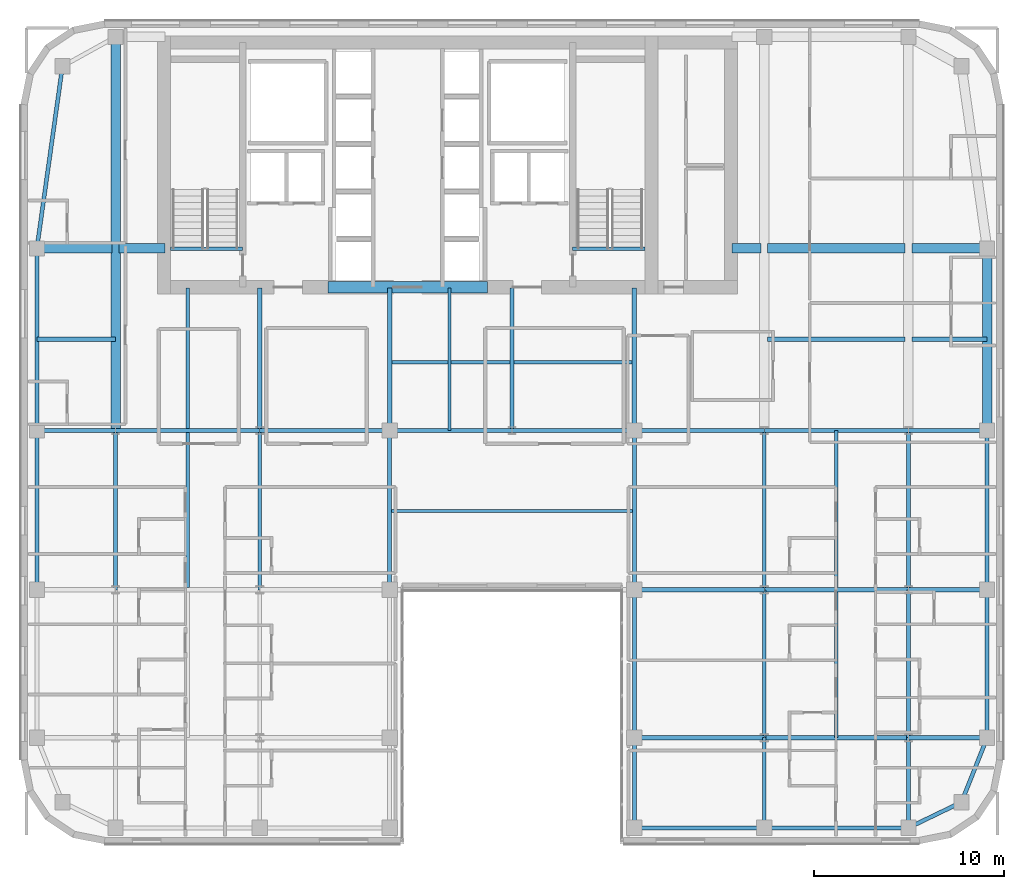
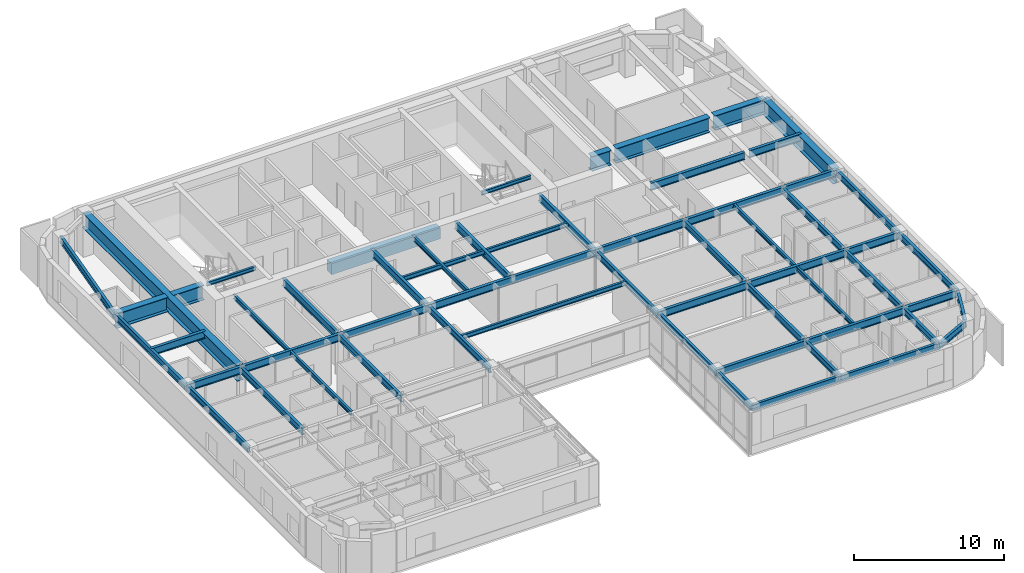
# One storey, part 7 of 21: 59 beams.
"""IFC4 building model written with IfcOpenShell, lengths in metres."""

from ifc_helpers import new_model, si_unit, direction, frame, origin, origin_2d, place, context, subcontext, project, spatial, rectangle, i_section, extrude, source, transform, mapped, material, material_profile, profile_set, type_object, type_shapes, element, save


model = new_model("IFC4")

# Units and contexts
model_context = context("Model", 3, precision=1e-05, world=origin(), true_north=direction((0.0, 1.0)))
body_context = subcontext(model_context, "Body", "Model", "MODEL_VIEW")
ifc_project = project(units=[si_unit("LENGTHUNIT", "METRE"), si_unit("AREAUNIT", "SQUARE_METRE"), si_unit("VOLUMEUNIT", "CUBIC_METRE"), si_unit("PLANEANGLEUNIT", "RADIAN"), si_unit("MASSUNIT", "GRAM", prefix="KILO")], contexts=[model_context])

# Site, building, storey
site_placement = place(None, origin())
site = spatial("IfcSite", under=ifc_project, at=site_placement, CompositionType="ELEMENT")
building_placement = place(site_placement, origin())
building = spatial("IfcBuilding", under=site, at=building_placement, Name="Tolvann Quenvar Hotel", CompositionType="ELEMENT")
storey_placement = place(building_placement, frame((0.0, 0.0, 161.25)))
storey = spatial("IfcBuildingStorey", under=building, at=storey_placement, Name="L42", CompositionType="ELEMENT", Elevation=161.25)

# Beams
ifc_material_1 = material(Name="Concrete N50 (50 MPa)", Category="concrete")
ifc_material_profile_1 = material_profile(ifc_material_1, rectangle(XDim=0.60009765625, YDim=0.89990234375, at=origin_2d()), Name="RC600x900")
ifc_profile_set_1 = profile_set([ifc_material_profile_1], Name="Concrete N50 (50 MPa)")
beam_type_1 = type_object("IfcBeamType", Name="BM_LINT_RC600x900", PredefinedType="LINTEL", material=ifc_profile_set_1)
shared_shape_1 = source(origin(), body_context, "Body", "SweptSolid", [
    extrude(rectangle(XDim=0.60009765625, YDim=0.89990234375, at=origin_2d()), origin(), (0.0, 0.0, 1.0), 8.39990234375),
])
type_shapes(beam_type_1, [shared_shape_1])
beam_1_placement = place(storey_placement, frame((18.800048828125, 31.949951171875, 2.919921875), z_axis=(1.0, 0.0, 0.0), x_axis=(0.0, 1.0, 0.0)))
element("IfcBeam", 1, at=beam_1_placement, inside=storey, type_object=beam_type_1, Name="Core Coupling Lintel Beam (L42)", PredefinedType="LINTEL", context=body_context, shape_type="MappedRepresentation", body=[
    mapped(shared_shape_1, transform((0.0, 0.0, 0.0), x_axis=(1.0, 0.0, 0.0), y_axis=(0.0, 1.0, 0.0), z_axis=(0.0, 0.0, 1.0), scale=1.0)),
])
ifc_material_2 = material(Name="Steel Grade 350", Category="steel")
ifc_material_profile_2 = material_profile(ifc_material_2, i_section(OverallWidth=0.5, OverallDepth=1.199951171875, WebThickness=0.01611328125, FlangeThickness=0.0400390625, at=origin_2d()), Name="1200WB455")
ifc_profile_set_2 = profile_set([ifc_material_profile_2], Name="Steel Grade 350")
beam_type_2 = type_object("IfcBeamType", Name="BM_TG_1200WB455", PredefinedType="USERDEFINED", material=ifc_profile_set_2)
shared_shape_2 = source(origin(), body_context, "Body", "SweptSolid", [
    extrude(i_section(OverallWidth=0.5, OverallDepth=1.199951171875, WebThickness=0.01611328125, FlangeThickness=0.0400390625, at=origin_2d()), origin(), (0.0, 0.0, 1.0), 9.60009765625),
])
beam_2_placement = place(storey_placement, frame((53.550048828125, 24.39990234375, 2.77001953125), z_axis=(0.0, 1.0, 0.0), x_axis=(-1.0, 0.0, 0.0)))
element("IfcBeam", 2, at=beam_2_placement, inside=storey, type_object=beam_type_2, Name="BM-L42-FLK-E1", ObjectType="TRANSFER GIRDER", PredefinedType="USERDEFINED", context=body_context, shape_type="MappedRepresentation", body=[
    mapped(shared_shape_2, transform((0.0, 0.0, 0.0), x_axis=(1.0, 0.0, 0.0), y_axis=(0.0, 1.0, 0.0), z_axis=(0.0, 0.0, 1.0), scale=1.0)),
])
ifc_material_profile_3 = material_profile(ifc_material_2, i_section(OverallWidth=0.208984375, OverallDepth=0.528076171875, WebThickness=0.009521484375, FlangeThickness=0.01318359375, FilletRadius=0.013916015625, at=origin_2d()), Name="530UB82")
ifc_profile_set_3 = profile_set([ifc_material_profile_3], Name="Steel Grade 350")
beam_type_3 = type_object("IfcBeamType", Name="BM_SPAND_530UB82", PredefinedType="SPANDREL", material=ifc_profile_set_3)
shared_shape_3 = source(origin(), body_context, "Body", "SweptSolid", [
    extrude(i_section(OverallWidth=0.208984375, OverallDepth=0.528076171875, WebThickness=0.009521484375, FlangeThickness=0.01318359375, FilletRadius=0.013916015625, at=origin_2d()), origin(), (0.0, 0.0, 1.0), 7.599853515625),
])
beam_3_placement = place(storey_placement, frame((41.800048828125, 3.449951171875, 3.10595703125), z_axis=(1.0, 0.0, 0.0), x_axis=(0.0, 1.0, 0.0)))
element("IfcBeam", 3, at=beam_3_placement, inside=storey, type_object=beam_type_3, Name="BM-L42-EW-2-H2-I2", PredefinedType="SPANDREL", context=body_context, shape_type="MappedRepresentation", body=[
    mapped(shared_shape_3, transform((0.0, 0.0, 0.0), x_axis=(1.0, 0.0, 0.0), y_axis=(0.0, 1.0, 0.0), z_axis=(0.0, 0.0, 1.0), scale=1.0)),
])
shared_shape_4 = source(origin(), body_context, "Body", "SweptSolid", [
    extrude(i_section(OverallWidth=0.208984375, OverallDepth=0.528076171875, WebThickness=0.009521484375, FlangeThickness=0.01318359375, FilletRadius=0.013916015625, at=origin_2d()), origin(), (0.0, 0.0, 1.0), 6.85009765625),
])
beam_4_placement = place(storey_placement, frame((34.949951171875, 3.449951171875, 3.10595703125), z_axis=(1.0, 0.0, 0.0), x_axis=(0.0, 1.0, 0.0)))
element("IfcBeam", 4, at=beam_4_placement, inside=storey, type_object=beam_type_3, Name="BM-L42-EW-2-F2-H2", PredefinedType="SPANDREL", context=body_context, shape_type="MappedRepresentation", body=[
    mapped(shared_shape_4, transform((0.0, 0.0, 0.0), x_axis=(1.0, 0.0, 0.0), y_axis=(0.0, 1.0, 0.0), z_axis=(0.0, 0.0, 1.0), scale=1.0)),
])
shared_shape_5 = source(origin(), body_context, "Body", "SweptSolid", [
    extrude(i_section(OverallWidth=0.208984375, OverallDepth=0.528076171875, WebThickness=0.009521484375, FlangeThickness=0.01318359375, FilletRadius=0.013916015625, at=origin_2d()), origin(), (0.0, 0.0, 1.0), 7.800048828125),
])
beam_5_placement = place(storey_placement, frame((53.550048828125, 8.199951171875, 3.10595703125), z_axis=(0.0, 1.0, 0.0), x_axis=(-1.0, 0.0, 0.0)))
element("IfcBeam", 5, at=beam_5_placement, inside=storey, type_object=beam_type_3, Name="BM-L42-NS-J3-J4", PredefinedType="SPANDREL", context=body_context, shape_type="MappedRepresentation", body=[
    mapped(shared_shape_5, transform((0.0, 0.0, 0.0), x_axis=(1.0, 0.0, 0.0), y_axis=(0.0, 1.0, 0.0), z_axis=(0.0, 0.0, 1.0), scale=1.0)),
])
shared_shape_6 = source(origin(), body_context, "Body", "SweptSolid", [
    extrude(i_section(OverallWidth=0.208984375, OverallDepth=0.528076171875, WebThickness=0.009521484375, FlangeThickness=0.01318359375, FilletRadius=0.013916015625, at=origin_2d()), origin(), (0.0, 0.0, 1.0), 8.39990234375),
])
for number, where, z_axis, x_axis, name in (
    (6, (3.449951171875, 16.0, 3.10595703125), (0.0, 1.0, 0.0), (-1.0, 0.0, 0.0), "BM-L42-NS-B4-B5"),
    (7, (53.550048828125, 16.0, 3.10595703125), (0.0, 1.0, 0.0), (-1.0, 0.0, 0.0), "BM-L42-NS-J4-J5"),
):
    element("IfcBeam", number, at=place(storey_placement, frame(where, z_axis=z_axis, x_axis=x_axis)), inside=storey, type_object=beam_type_3, Name=name, PredefinedType="SPANDREL", context=body_context, shape_type="MappedRepresentation", body=[
        mapped(shared_shape_6, transform((0.0, 0.0, 0.0), x_axis=(1.0, 0.0, 0.0), y_axis=(0.0, 1.0, 0.0), z_axis=(0.0, 0.0, 1.0), scale=1.0)),
    ])
ifc_material_profile_4 = material_profile(ifc_material_2, i_section(OverallWidth=0.208984375, OverallDepth=0.532958984375, WebThickness=0.01025390625, FlangeThickness=0.015625, FilletRadius=0.013916015625, at=origin_2d()), Name="530UB92")
ifc_profile_set_4 = profile_set([ifc_material_profile_4], Name="Steel Grade 350")
beam_type_4 = type_object("IfcBeamType", Name="BM_GIRD_530UB92", PredefinedType="BEAM", material=ifc_profile_set_4)
shared_shape_7 = source(origin(), body_context, "Body", "SweptSolid", [
    extrude(i_section(OverallWidth=0.208984375, OverallDepth=0.532958984375, WebThickness=0.01025390625, FlangeThickness=0.015625, FilletRadius=0.013916015625, at=origin_2d()), origin(), (0.0, 0.0, 1.0), 7.800048828125),
])
for number, where, z_axis, x_axis, name in (
    (8, (34.949951171875, 8.199951171875, 3.103515625), (0.0, 1.0, 0.0), (-1.0, 0.0, 0.0), "BM-L42-NS-F3-F4"),
    (9, (41.800048828125, 8.199951171875, 3.103515625), (0.0, 1.0, 0.0), (-1.0, 0.0, 0.0), "BM-L42-NS-H3-H4"),
    (10, (49.39990234375, 8.199951171875, 3.103515625), (0.0, 1.0, 0.0), (-1.0, 0.0, 0.0), "BM-L42-NS-I3-I4"),
):
    element("IfcBeam", number, at=place(storey_placement, frame(where, z_axis=z_axis, x_axis=x_axis)), inside=storey, type_object=beam_type_4, Name=name, PredefinedType="BEAM", context=body_context, shape_type="MappedRepresentation", body=[
        mapped(shared_shape_7, transform((0.0, 0.0, 0.0), x_axis=(1.0, 0.0, 0.0), y_axis=(0.0, 1.0, 0.0), z_axis=(0.0, 0.0, 1.0), scale=1.0)),
    ])
shared_shape_8 = source(origin(), body_context, "Body", "SweptSolid", [
    extrude(i_section(OverallWidth=0.208984375, OverallDepth=0.532958984375, WebThickness=0.01025390625, FlangeThickness=0.015625, FilletRadius=0.013916015625, at=origin_2d()), origin(), (0.0, 0.0, 1.0), 8.39990234375),
])
for number, where, z_axis, x_axis, name in (
    (11, (7.60009765625, 16.0, 3.103515625), (0.0, 1.0, 0.0), (-1.0, 0.0, 0.0), "BM-L42-NS-C4-C5"),
    (12, (15.199951171875, 16.0, 3.103515625), (0.0, 1.0, 0.0), (-1.0, 0.0, 0.0), "BM-L42-NS-D4-D5"),
    (13, (22.050048828125, 16.0, 3.103515625), (0.0, 1.0, 0.0), (-1.0, 0.0, 0.0), "BM-L42-NS-E4-E5"),
    (14, (34.949951171875, 16.0, 3.103515625), (0.0, 1.0, 0.0), (-1.0, 0.0, 0.0), "BM-L42-NS-F4-F5"),
    (15, (41.800048828125, 16.0, 3.103515625), (0.0, 1.0, 0.0), (-1.0, 0.0, 0.0), "BM-L42-NS-H4-H5"),
    (16, (49.39990234375, 16.0, 3.103515625), (0.0, 1.0, 0.0), (-1.0, 0.0, 0.0), "BM-L42-NS-I4-I5"),
):
    element("IfcBeam", number, at=place(storey_placement, frame(where, z_axis=z_axis, x_axis=x_axis)), inside=storey, type_object=beam_type_4, Name=name, PredefinedType="BEAM", context=body_context, shape_type="MappedRepresentation", body=[
        mapped(shared_shape_8, transform((0.0, 0.0, 0.0), x_axis=(1.0, 0.0, 0.0), y_axis=(0.0, 1.0, 0.0), z_axis=(0.0, 0.0, 1.0), scale=1.0)),
    ])
shared_shape_9 = source(origin(), body_context, "Body", "SweptSolid", [
    extrude(i_section(OverallWidth=0.208984375, OverallDepth=0.528076171875, WebThickness=0.009521484375, FlangeThickness=0.01318359375, FilletRadius=0.013916015625, at=origin_2d()), origin(), (0.0, 0.0, 1.0), 9.60009765625),
])
beam_6_placement = place(storey_placement, frame((3.449951171875, 24.39990234375, 3.10595703125), z_axis=(0.0, 1.0, 0.0), x_axis=(-1.0, 0.0, 0.0)))
element("IfcBeam", 17, at=beam_6_placement, inside=storey, type_object=beam_type_3, Name="BM-L42-FLK-W1", PredefinedType="SPANDREL", context=body_context, shape_type="MappedRepresentation", body=[
    mapped(shared_shape_9, transform((0.0, 0.0, 0.0), x_axis=(1.0, 0.0, 0.0), y_axis=(0.0, 1.0, 0.0), z_axis=(0.0, 0.0, 1.0), scale=1.0)),
])
shared_shape_10 = source(origin(), body_context, "Body", "SweptSolid", [
    extrude(i_section(OverallWidth=0.5, OverallDepth=1.199951171875, WebThickness=0.01611328125, FlangeThickness=0.0400390625, at=origin_2d()), origin(), (0.0, 0.0, 1.0), 20.75),
])
beam_7_placement = place(storey_placement, frame((7.60009765625, 24.39990234375, 2.77001953125), z_axis=(0.0, 1.0, 0.0), x_axis=(-1.0, 0.0, 0.0)))
element("IfcBeam", 18, at=beam_7_placement, inside=storey, type_object=beam_type_2, Name="BM-L42-FLK-WC", ObjectType="TRANSFER GIRDER", PredefinedType="USERDEFINED", context=body_context, shape_type="MappedRepresentation", body=[
    mapped(shared_shape_10, transform((0.0, 0.0, 0.0), x_axis=(1.0, 0.0, 0.0), y_axis=(0.0, 1.0, 0.0), z_axis=(0.0, 0.0, 1.0), scale=1.0)),
])
shared_shape_11 = source(origin(), body_context, "Body", "SweptSolid", [
    extrude(i_section(OverallWidth=0.5, OverallDepth=1.199951171875, WebThickness=0.01611328125, FlangeThickness=0.0400390625, at=origin_2d()), origin(), (0.0, 0.0, 1.0), 2.419921875),
])
beam_8_placement = place(storey_placement, frame((7.780029296875, 34.0, 2.77001953125), z_axis=(1.0, 0.0, 0.0), x_axis=(0.0, 1.0, 0.0)))
element("IfcBeam", 19, at=beam_8_placement, inside=storey, type_object=beam_type_2, Name="BM-L42-CTW-MID2", ObjectType="TRANSFER GIRDER", PredefinedType="USERDEFINED", context=body_context, shape_type="MappedRepresentation", body=[
    mapped(shared_shape_11, transform((0.0, 0.0, 0.0), x_axis=(1.0, 0.0, 0.0), y_axis=(0.0, 1.0, 0.0), z_axis=(0.0, 0.0, 1.0), scale=1.0)),
])
shared_shape_12 = source(origin(), body_context, "Body", "SweptSolid", [
    extrude(i_section(OverallWidth=0.5, OverallDepth=1.199951171875, WebThickness=0.01611328125, FlangeThickness=0.0400390625, at=origin_2d()), origin(), (0.0, 0.0, 1.0), 1.52001953125),
])
beam_9_placement = place(storey_placement, frame((40.10009765625, 34.0, 2.77001953125), z_axis=(1.0, 0.0, 0.0), x_axis=(0.0, 1.0, 0.0)))
element("IfcBeam", 20, at=beam_9_placement, inside=storey, type_object=beam_type_2, Name="BM-L42-CTE-JD6A", ObjectType="TRANSFER GIRDER", PredefinedType="USERDEFINED", context=body_context, shape_type="MappedRepresentation", body=[
    mapped(shared_shape_12, transform((0.0, 0.0, 0.0), x_axis=(1.0, 0.0, 0.0), y_axis=(0.0, 1.0, 0.0), z_axis=(0.0, 0.0, 1.0), scale=1.0)),
])
shared_shape_13 = source(origin(), body_context, "Body", "SweptSolid", [
    extrude(i_section(OverallWidth=0.5, OverallDepth=1.199951171875, WebThickness=0.01611328125, FlangeThickness=0.0400390625, at=origin_2d()), origin(), (0.0, 0.0, 1.0), 7.239990234375),
])
beam_10_placement = place(storey_placement, frame((41.97998046875, 34.0, 2.77001953125), z_axis=(1.0, 0.0, 0.0), x_axis=(0.0, 1.0, 0.0)))
element("IfcBeam", 21, at=beam_10_placement, inside=storey, type_object=beam_type_2, Name="BM-L42-CTE-JD6B", ObjectType="TRANSFER GIRDER", PredefinedType="USERDEFINED", context=body_context, shape_type="MappedRepresentation", body=[
    mapped(shared_shape_13, transform((0.0, 0.0, 0.0), x_axis=(1.0, 0.0, 0.0), y_axis=(0.0, 1.0, 0.0), z_axis=(0.0, 0.0, 1.0), scale=1.0)),
])
ifc_material_profile_5 = material_profile(ifc_material_2, i_section(OverallWidth=0.166015625, OverallDepth=0.306884765625, WebThickness=0.006591796875, FlangeThickness=0.01171875, FilletRadius=0.011474609375, at=origin_2d()), Name="310UB46")
ifc_profile_set_5 = profile_set([ifc_material_profile_5], Name="Steel Grade 350")
beam_type_5 = type_object("IfcBeamType", Name="BM_JOIST_310UB46", PredefinedType="JOIST", material=ifc_profile_set_5)
shared_shape_14 = source(origin(), body_context, "Body", "SweptSolid", [
    extrude(i_section(OverallWidth=0.166015625, OverallDepth=0.306884765625, WebThickness=0.006591796875, FlangeThickness=0.01171875, FilletRadius=0.011474609375, at=origin_2d()), origin(), (0.0, 0.0, 1.0), 3.800048828125),
])
type_shapes(beam_type_5, [shared_shape_14])
for number, where, z_axis, x_axis, name in (
    (22, (10.5, 33.97998046875, 3.216552734375), (1.0, 0.0, 0.0), (0.0, 1.0, 0.0), "BM-HDR-STC1-L43"),
    (23, (31.699951171875, 33.97998046875, 3.216552734375), (1.0, 0.0, 0.0), (0.0, 1.0, 0.0), "BM-HDR-STC2-L43"),
):
    element("IfcBeam", number, at=place(storey_placement, frame(where, z_axis=z_axis, x_axis=x_axis)), inside=storey, type_object=beam_type_5, Name=name, PredefinedType="JOIST", context=body_context, shape_type="MappedRepresentation", body=[
        mapped(shared_shape_14, transform((0.0, 0.0, 0.0), x_axis=(1.0, 0.0, 0.0), y_axis=(0.0, 1.0, 0.0), z_axis=(0.0, 0.0, 1.0), scale=1.0)),
    ])
shared_shape_15 = source(origin(), body_context, "Body", "SweptSolid", [
    extrude(i_section(OverallWidth=0.208984375, OverallDepth=0.528076171875, WebThickness=0.009521484375, FlangeThickness=0.01318359375, FilletRadius=0.013916015625, at=origin_2d()), origin(), (0.0, 0.0, 1.0), 9.694580078125),
])
beam_11_placement = place(storey_placement, frame((3.449951171875, 34.0, 3.10595703125), z_axis=(0.139263320262, 0.990255385055, 0.0), x_axis=(-0.990255385055, 0.139263320262, 0.0)))
element("IfcBeam", 24, at=beam_11_placement, inside=storey, type_object=beam_type_3, Name="BM-L42-FLK-W2", PredefinedType="SPANDREL", context=body_context, shape_type="MappedRepresentation", body=[
    mapped(shared_shape_15, transform((0.0, 0.0, 0.0), x_axis=(1.0, 0.0, 0.0), y_axis=(0.0, 1.0, 0.0), z_axis=(0.0, 0.0, 1.0), scale=1.0)),
])
shared_shape_16 = source(origin(), body_context, "Body", "SweptSolid", [
    extrude(i_section(OverallWidth=0.5, OverallDepth=1.199951171875, WebThickness=0.01611328125, FlangeThickness=0.0400390625, at=origin_2d()), origin(), (0.0, 0.0, 1.0), 3.969970703125),
])
type_shapes(beam_type_2, [shared_shape_2, shared_shape_10, shared_shape_11, shared_shape_12, shared_shape_13, shared_shape_16])
for number, where, z_axis, x_axis, name in (
    (25, (3.449951171875, 34.0, 2.77001953125), (1.0, 0.0, 0.0), (0.0, 1.0, 0.0), "BM-L42-CTW-MID1"),
    (26, (49.580078125, 34.0, 2.77001953125), (1.0, 0.0, 0.0), (0.0, 1.0, 0.0), "BM-L42-CTE-JD6C"),
):
    element("IfcBeam", number, at=place(storey_placement, frame(where, z_axis=z_axis, x_axis=x_axis)), inside=storey, type_object=beam_type_2, Name=name, ObjectType="TRANSFER GIRDER", PredefinedType="USERDEFINED", context=body_context, shape_type="MappedRepresentation", body=[
        mapped(shared_shape_16, transform((0.0, 0.0, 0.0), x_axis=(1.0, 0.0, 0.0), y_axis=(0.0, 1.0, 0.0), z_axis=(0.0, 0.0, 1.0), scale=1.0)),
    ])
ifc_material_profile_6 = material_profile(ifc_material_2, i_section(OverallWidth=0.172119140625, OverallDepth=0.35888671875, WebThickness=0.008056640625, FlangeThickness=0.012939453125, FilletRadius=0.011474609375, at=origin_2d()), Name="360UB57")
ifc_profile_set_6 = profile_set([ifc_material_profile_6], Name="Steel Grade 350")
beam_type_6 = type_object("IfcBeamType", Name="BM_JOIST_360UB57", PredefinedType="JOIST", material=ifc_profile_set_6)
shared_shape_17 = source(origin(), body_context, "Body", "SweptSolid", [
    extrude(i_section(OverallWidth=0.172119140625, OverallDepth=0.35888671875, WebThickness=0.008056640625, FlangeThickness=0.012939453125, FilletRadius=0.011474609375, at=origin_2d()), origin(), (0.0, 0.0, 1.0), 12.89990234375),
])
for number, where, z_axis, x_axis, name in (
    (27, (22.050048828125, 20.14990234375, 3.1904296875), (1.0, 0.0, 0.0), (0.0, 1.0, 0.0), "BM-L42-SPINE-20"),
    (28, (22.050048828125, 28.0, 3.1904296875), (1.0, 0.0, 0.0), (0.0, 1.0, 0.0), "BM-L42-SPINE-28"),
):
    element("IfcBeam", number, at=place(storey_placement, frame(where, z_axis=z_axis, x_axis=x_axis)), inside=storey, type_object=beam_type_6, Name=name, PredefinedType="JOIST", context=body_context, shape_type="MappedRepresentation", body=[
        mapped(shared_shape_17, transform((0.0, 0.0, 0.0), x_axis=(1.0, 0.0, 0.0), y_axis=(0.0, 1.0, 0.0), z_axis=(0.0, 0.0, 1.0), scale=1.0)),
    ])
shared_shape_18 = source(origin(), body_context, "Body", "SweptSolid", [
    extrude(i_section(OverallWidth=0.172119140625, OverallDepth=0.35888671875, WebThickness=0.008056640625, FlangeThickness=0.012939453125, FilletRadius=0.011474609375, at=origin_2d()), origin(), (0.0, 0.0, 1.0), 7.5),
])
beam_12_placement = place(storey_placement, frame((25.199951171875, 24.39990234375, 3.1904296875), z_axis=(0.0, 1.0, 0.0), x_axis=(-1.0, 0.0, 0.0)))
element("IfcBeam", 29, at=beam_12_placement, inside=storey, type_object=beam_type_6, Name="BJ-L42-252-244", PredefinedType="JOIST", context=body_context, shape_type="MappedRepresentation", body=[
    mapped(shared_shape_18, transform((0.0, 0.0, 0.0), x_axis=(1.0, 0.0, 0.0), y_axis=(0.0, 1.0, 0.0), z_axis=(0.0, 0.0, 1.0), scale=1.0)),
])
shared_shape_19 = source(origin(), body_context, "Body", "SweptSolid", [
    extrude(i_section(OverallWidth=0.208984375, OverallDepth=0.528076171875, WebThickness=0.009521484375, FlangeThickness=0.01318359375, FilletRadius=0.013916015625, at=origin_2d()), origin(), (0.0, 0.0, 1.0), 3.108642578125),
])
beam_13_placement = place(storey_placement, frame((49.39990234375, 3.449951171875, 3.10595703125), z_axis=(0.900759354066, 0.434318530646, 0.0), x_axis=(-0.434318530646, 0.900759354066, 0.0)))
element("IfcBeam", 30, at=beam_13_placement, inside=storey, type_object=beam_type_3, Name="BM-L42-EW-2-I2-J2", PredefinedType="SPANDREL", context=body_context, shape_type="MappedRepresentation", body=[
    mapped(shared_shape_19, transform((0.0, 0.0, 0.0), x_axis=(1.0, 0.0, 0.0), y_axis=(0.0, 1.0, 0.0), z_axis=(0.0, 0.0, 1.0), scale=1.0)),
])
ifc_material_profile_7 = material_profile(ifc_material_2, i_section(OverallWidth=0.22802734375, OverallDepth=0.60205078125, WebThickness=0.010498046875, FlangeThickness=0.014892578125, FilletRadius=0.013916015625, at=origin_2d()), Name="610UB101")
ifc_profile_set_7 = profile_set([ifc_material_profile_7], Name="Steel Grade 350")
beam_type_7 = type_object("IfcBeamType", Name="BM_GIRD_610UB101", PredefinedType="BEAM", material=ifc_profile_set_7)
shared_shape_20 = source(origin(), body_context, "Body", "SweptSolid", [
    extrude(i_section(OverallWidth=0.22802734375, OverallDepth=0.60205078125, WebThickness=0.010498046875, FlangeThickness=0.014892578125, FilletRadius=0.013916015625, at=origin_2d()), origin(), (0.0, 0.0, 1.0), 4.150146484375),
])
for number, where, z_axis, x_axis, name in (
    (31, (49.39990234375, 8.199951171875, 3.069091796875), (1.0, 0.0, 0.0), (0.0, 1.0, 0.0), "BM-L42-EW-3-I3-J3"),
    (32, (49.39990234375, 16.0, 3.069091796875), (1.0, 0.0, 0.0), (0.0, 1.0, 0.0), "BM-L42-EW-4-I4-J4"),
    (33, (3.449951171875, 24.39990234375, 3.069091796875), (1.0, 0.0, 0.0), (0.0, 1.0, 0.0), "BM-L42-EW-5-B5-C5"),
    (34, (49.39990234375, 24.39990234375, 3.069091796875), (1.0, 0.0, 0.0), (0.0, 1.0, 0.0), "BM-L42-EW-5-I5-J5"),
    (35, (3.449951171875, 29.199951171875, 3.069091796875), (1.0, 0.0, 0.0), (0.0, 1.0, 0.0), "BM-L42-EW-BC29"),
):
    element("IfcBeam", number, at=place(storey_placement, frame(where, z_axis=z_axis, x_axis=x_axis)), inside=storey, type_object=beam_type_7, Name=name, PredefinedType="BEAM", context=body_context, shape_type="MappedRepresentation", body=[
        mapped(shared_shape_20, transform((0.0, 0.0, 0.0), x_axis=(1.0, 0.0, 0.0), y_axis=(0.0, 1.0, 0.0), z_axis=(0.0, 0.0, 1.0), scale=1.0)),
    ])
shared_shape_21 = source(origin(), body_context, "Body", "SweptSolid", [
    extrude(i_section(OverallWidth=0.22802734375, OverallDepth=0.60205078125, WebThickness=0.010498046875, FlangeThickness=0.014892578125, FilletRadius=0.013916015625, at=origin_2d()), origin(), (0.0, 0.0, 1.0), 7.599853515625),
])
for number, where, z_axis, x_axis, name in (
    (36, (41.800048828125, 8.199951171875, 3.069091796875), (1.0, 0.0, 0.0), (0.0, 1.0, 0.0), "BM-L42-EW-3-H3-I3"),
    (37, (41.800048828125, 16.0, 3.069091796875), (1.0, 0.0, 0.0), (0.0, 1.0, 0.0), "BM-L42-EW-4-H4-I4"),
    (38, (7.60009765625, 24.39990234375, 3.069091796875), (1.0, 0.0, 0.0), (0.0, 1.0, 0.0), "BM-L42-EW-5-C5-D5"),
    (39, (41.800048828125, 24.39990234375, 3.069091796875), (1.0, 0.0, 0.0), (0.0, 1.0, 0.0), "BM-L42-EW-5-H5-I5"),
):
    element("IfcBeam", number, at=place(storey_placement, frame(where, z_axis=z_axis, x_axis=x_axis)), inside=storey, type_object=beam_type_7, Name=name, PredefinedType="BEAM", context=body_context, shape_type="MappedRepresentation", body=[
        mapped(shared_shape_21, transform((0.0, 0.0, 0.0), x_axis=(1.0, 0.0, 0.0), y_axis=(0.0, 1.0, 0.0), z_axis=(0.0, 0.0, 1.0), scale=1.0)),
    ])
shared_shape_22 = source(origin(), body_context, "Body", "SweptSolid", [
    extrude(i_section(OverallWidth=0.22802734375, OverallDepth=0.60205078125, WebThickness=0.010498046875, FlangeThickness=0.014892578125, FilletRadius=0.013916015625, at=origin_2d()), origin(), (0.0, 0.0, 1.0), 6.85009765625),
])
for number, where, z_axis, x_axis, name in (
    (40, (34.949951171875, 8.199951171875, 3.069091796875), (1.0, 0.0, 0.0), (0.0, 1.0, 0.0), "BM-L42-EW-3-F3-H3"),
    (41, (34.949951171875, 16.0, 3.069091796875), (1.0, 0.0, 0.0), (0.0, 1.0, 0.0), "BM-L42-EW-4-F4-H4"),
    (42, (15.199951171875, 24.39990234375, 3.069091796875), (1.0, 0.0, 0.0), (0.0, 1.0, 0.0), "BM-L42-EW-5-D5-E5"),
    (43, (34.949951171875, 24.39990234375, 3.069091796875), (1.0, 0.0, 0.0), (0.0, 1.0, 0.0), "BM-L42-EW-5-F5-H5"),
):
    element("IfcBeam", number, at=place(storey_placement, frame(where, z_axis=z_axis, x_axis=x_axis)), inside=storey, type_object=beam_type_7, Name=name, PredefinedType="BEAM", context=body_context, shape_type="MappedRepresentation", body=[
        mapped(shared_shape_22, transform((0.0, 0.0, 0.0), x_axis=(1.0, 0.0, 0.0), y_axis=(0.0, 1.0, 0.0), z_axis=(0.0, 0.0, 1.0), scale=1.0)),
    ])
shared_shape_23 = source(origin(), body_context, "Body", "SweptSolid", [
    extrude(i_section(OverallWidth=0.22802734375, OverallDepth=0.60205078125, WebThickness=0.010498046875, FlangeThickness=0.014892578125, FilletRadius=0.013916015625, at=origin_2d()), origin(), (0.0, 0.0, 1.0), 6.449951171875),
])
for number, where, z_axis, x_axis, name in (
    (44, (22.050048828125, 24.39990234375, 3.069091796875), (1.0, 0.0, 0.0), (0.0, 1.0, 0.0), "BM-L42-EW-5-E5-M5"),
    (45, (28.5, 24.39990234375, 3.069091796875), (1.0, 0.0, 0.0), (0.0, 1.0, 0.0), "BM-L42-EW-5-M5-F5"),
):
    element("IfcBeam", number, at=place(storey_placement, frame(where, z_axis=z_axis, x_axis=x_axis)), inside=storey, type_object=beam_type_7, Name=name, PredefinedType="BEAM", context=body_context, shape_type="MappedRepresentation", body=[
        mapped(shared_shape_23, transform((0.0, 0.0, 0.0), x_axis=(1.0, 0.0, 0.0), y_axis=(0.0, 1.0, 0.0), z_axis=(0.0, 0.0, 1.0), scale=1.0)),
    ])
shared_shape_24 = source(origin(), body_context, "Body", "SweptSolid", [
    extrude(i_section(OverallWidth=0.208984375, OverallDepth=0.528076171875, WebThickness=0.009521484375, FlangeThickness=0.01318359375, FilletRadius=0.013916015625, at=origin_2d()), origin(), (0.0, 0.0, 1.0), 3.658203125),
])
type_shapes(beam_type_3, [shared_shape_3, shared_shape_4, shared_shape_5, shared_shape_6, shared_shape_9, shared_shape_15, shared_shape_19, shared_shape_24])
beam_14_placement = place(storey_placement, frame((52.199951171875, 4.800048828125, 3.10595703125), z_axis=(0.369065163807, 0.929403521009, 0.0), x_axis=(-0.929403521009, 0.369065163807, 0.0)))
element("IfcBeam", 46, at=beam_14_placement, inside=storey, type_object=beam_type_3, Name="BM-L42-NS-J2-J3", PredefinedType="SPANDREL", context=body_context, shape_type="MappedRepresentation", body=[
    mapped(shared_shape_24, transform((0.0, 0.0, 0.0), x_axis=(1.0, 0.0, 0.0), y_axis=(0.0, 1.0, 0.0), z_axis=(0.0, 0.0, 1.0), scale=1.0)),
])
shared_shape_25 = source(origin(), body_context, "Body", "SweptSolid", [
    extrude(i_section(OverallWidth=0.208984375, OverallDepth=0.532958984375, WebThickness=0.01025390625, FlangeThickness=0.015625, FilletRadius=0.013916015625, at=origin_2d()), origin(), (0.0, 0.0, 1.0), 4.75),
])
type_shapes(beam_type_4, [shared_shape_7, shared_shape_8, shared_shape_25])
for number, where, z_axis, x_axis, name in (
    (47, (34.949951171875, 3.449951171875, 3.103515625), (0.0, 1.0, 0.0), (-1.0, 0.0, 0.0), "BM-L42-NS-F2-F3"),
    (48, (41.800048828125, 3.449951171875, 3.103515625), (0.0, 1.0, 0.0), (-1.0, 0.0, 0.0), "BM-L42-NS-H2-H3"),
    (49, (49.39990234375, 3.449951171875, 3.103515625), (0.0, 1.0, 0.0), (-1.0, 0.0, 0.0), "BM-L42-NS-I2-I3"),
):
    element("IfcBeam", number, at=place(storey_placement, frame(where, z_axis=z_axis, x_axis=x_axis)), inside=storey, type_object=beam_type_4, Name=name, PredefinedType="BEAM", context=body_context, shape_type="MappedRepresentation", body=[
        mapped(shared_shape_25, transform((0.0, 0.0, 0.0), x_axis=(1.0, 0.0, 0.0), y_axis=(0.0, 1.0, 0.0), z_axis=(0.0, 0.0, 1.0), scale=1.0)),
    ])
shared_shape_26 = source(origin(), body_context, "Body", "SweptSolid", [
    extrude(i_section(OverallWidth=0.22802734375, OverallDepth=0.60205078125, WebThickness=0.010498046875, FlangeThickness=0.014892578125, FilletRadius=0.013916015625, at=origin_2d()), origin(), (0.0, 0.0, 1.0), 7.5),
])
for number, where, z_axis, x_axis, name in (
    (50, (15.199951171875, 24.39990234375, 3.069091796875), (0.0, 1.0, 0.0), (-1.0, 0.0, 0.0), "BM-L42-CORE-D5"),
    (51, (22.050048828125, 24.39990234375, 3.069091796875), (0.0, 1.0, 0.0), (-1.0, 0.0, 0.0), "BM-L42-CORE-E5"),
    (52, (34.949951171875, 24.39990234375, 3.069091796875), (0.0, 1.0, 0.0), (-1.0, 0.0, 0.0), "BM-L42-CORE-F5"),
    (53, (28.5, 24.39990234375, 3.069091796875), (0.0, 1.0, 0.0), (-1.0, 0.0, 0.0), "BM-L42-CORE-M5"),
):
    element("IfcBeam", number, at=place(storey_placement, frame(where, z_axis=z_axis, x_axis=x_axis)), inside=storey, type_object=beam_type_7, Name=name, PredefinedType="BEAM", context=body_context, shape_type="MappedRepresentation", body=[
        mapped(shared_shape_26, transform((0.0, 0.0, 0.0), x_axis=(1.0, 0.0, 0.0), y_axis=(0.0, 1.0, 0.0), z_axis=(0.0, 0.0, 1.0), scale=1.0)),
    ])
shared_shape_27 = source(origin(), body_context, "Body", "SweptSolid", [
    extrude(i_section(OverallWidth=0.22802734375, OverallDepth=0.60205078125, WebThickness=0.010498046875, FlangeThickness=0.014892578125, FilletRadius=0.013916015625, at=origin_2d()), origin(), (0.0, 0.0, 1.0), 7.239990234375),
])
beam_15_placement = place(storey_placement, frame((41.97998046875, 29.199951171875, 3.069091796875), z_axis=(1.0, 0.0, 0.0), x_axis=(0.0, 1.0, 0.0)))
element("IfcBeam", 54, at=beam_15_placement, inside=storey, type_object=beam_type_7, Name="BM-L42-EW-HI29", PredefinedType="BEAM", context=body_context, shape_type="MappedRepresentation", body=[
    mapped(shared_shape_27, transform((0.0, 0.0, 0.0), x_axis=(1.0, 0.0, 0.0), y_axis=(0.0, 1.0, 0.0), z_axis=(0.0, 0.0, 1.0), scale=1.0)),
])
shared_shape_28 = source(origin(), body_context, "Body", "SweptSolid", [
    extrude(i_section(OverallWidth=0.22802734375, OverallDepth=0.60205078125, WebThickness=0.010498046875, FlangeThickness=0.014892578125, FilletRadius=0.013916015625, at=origin_2d()), origin(), (0.0, 0.0, 1.0), 3.969970703125),
])
type_shapes(beam_type_7, [shared_shape_20, shared_shape_21, shared_shape_22, shared_shape_23, shared_shape_26, shared_shape_27, shared_shape_28])
beam_16_placement = place(storey_placement, frame((49.580078125, 29.199951171875, 3.069091796875), z_axis=(1.0, 0.0, 0.0), x_axis=(0.0, 1.0, 0.0)))
element("IfcBeam", 55, at=beam_16_placement, inside=storey, type_object=beam_type_7, Name="BM-L42-EW-IJ29", PredefinedType="BEAM", context=body_context, shape_type="MappedRepresentation", body=[
    mapped(shared_shape_28, transform((0.0, 0.0, 0.0), x_axis=(1.0, 0.0, 0.0), y_axis=(0.0, 1.0, 0.0), z_axis=(0.0, 0.0, 1.0), scale=1.0)),
])
shared_shape_29 = source(origin(), body_context, "Body", "SweptSolid", [
    extrude(i_section(OverallWidth=0.172119140625, OverallDepth=0.35888671875, WebThickness=0.008056640625, FlangeThickness=0.012939453125, FilletRadius=0.011474609375, at=origin_2d()), origin(), (0.0, 0.0, 1.0), 7.692138671875),
])
beam_17_placement = place(storey_placement, frame((45.60009765625, 8.199951171875, 3.1904296875), z_axis=(0.0, 1.0, 0.0), x_axis=(-1.0, 0.0, 0.0)))
element("IfcBeam", 56, at=beam_17_placement, inside=storey, type_object=beam_type_6, Name="BJ-L42-456-82", PredefinedType="JOIST", context=body_context, shape_type="MappedRepresentation", body=[
    mapped(shared_shape_29, transform((0.0, 0.0, 0.0), x_axis=(1.0, 0.0, 0.0), y_axis=(0.0, 1.0, 0.0), z_axis=(0.0, 0.0, 1.0), scale=1.0)),
])
shared_shape_30 = source(origin(), body_context, "Body", "SweptSolid", [
    extrude(i_section(OverallWidth=0.172119140625, OverallDepth=0.35888671875, WebThickness=0.008056640625, FlangeThickness=0.012939453125, FilletRadius=0.011474609375, at=origin_2d()), origin(), (0.0, 0.0, 1.0), 8.18408203125),
])
beam_18_placement = place(storey_placement, frame((11.39990234375, 16.10791015625, 3.1904296875), z_axis=(0.0, 1.0, 0.0), x_axis=(-1.0, 0.0, 0.0)))
element("IfcBeam", 57, at=beam_18_placement, inside=storey, type_object=beam_type_6, Name="BJ-L42-114-160", PredefinedType="JOIST", context=body_context, shape_type="MappedRepresentation", body=[
    mapped(shared_shape_30, transform((0.0, 0.0, 0.0), x_axis=(1.0, 0.0, 0.0), y_axis=(0.0, 1.0, 0.0), z_axis=(0.0, 0.0, 1.0), scale=1.0)),
])
shared_shape_31 = source(origin(), body_context, "Body", "SweptSolid", [
    extrude(i_section(OverallWidth=0.172119140625, OverallDepth=0.35888671875, WebThickness=0.008056640625, FlangeThickness=0.012939453125, FilletRadius=0.011474609375, at=origin_2d()), origin(), (0.0, 0.0, 1.0), 7.391845703125),
])
beam_19_placement = place(storey_placement, frame((11.39990234375, 24.508056640625, 3.1904296875), z_axis=(0.0, 1.0, 0.0), x_axis=(-1.0, 0.0, 0.0)))
element("IfcBeam", 58, at=beam_19_placement, inside=storey, type_object=beam_type_6, Name="BJ-L42-114-244", PredefinedType="JOIST", context=body_context, shape_type="MappedRepresentation", body=[
    mapped(shared_shape_31, transform((0.0, 0.0, 0.0), x_axis=(1.0, 0.0, 0.0), y_axis=(0.0, 1.0, 0.0), z_axis=(0.0, 0.0, 1.0), scale=1.0)),
])
shared_shape_32 = source(origin(), body_context, "Body", "SweptSolid", [
    extrude(i_section(OverallWidth=0.172119140625, OverallDepth=0.35888671875, WebThickness=0.008056640625, FlangeThickness=0.012939453125, FilletRadius=0.011474609375, at=origin_2d()), origin(), (0.0, 0.0, 1.0), 8.2919921875),
])
type_shapes(beam_type_6, [shared_shape_17, shared_shape_18, shared_shape_29, shared_shape_30, shared_shape_31, shared_shape_32])
beam_20_placement = place(storey_placement, frame((45.60009765625, 16.10791015625, 3.1904296875), z_axis=(0.0, 1.0, 0.0), x_axis=(-1.0, 0.0, 0.0)))
element("IfcBeam", 59, at=beam_20_placement, inside=storey, type_object=beam_type_6, Name="BJ-L42-456-160", PredefinedType="JOIST", context=body_context, shape_type="MappedRepresentation", body=[
    mapped(shared_shape_32, transform((0.0, 0.0, 0.0), x_axis=(1.0, 0.0, 0.0), y_axis=(0.0, 1.0, 0.0), z_axis=(0.0, 0.0, 1.0), scale=1.0)),
])

save(model, "model.ifc")
